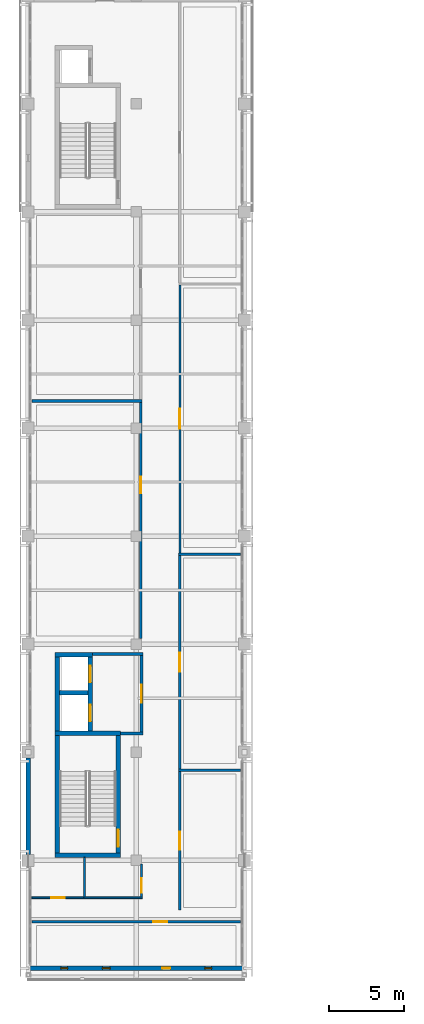
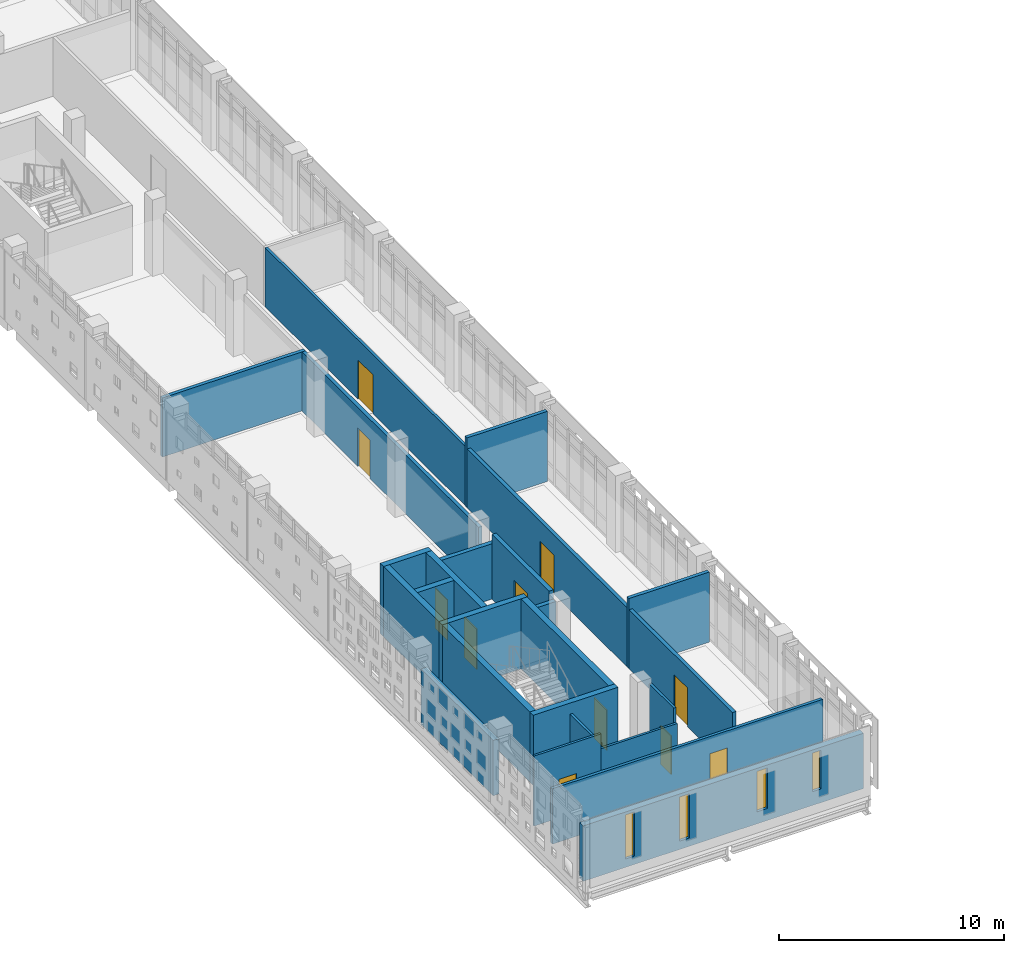
# One storey, part 23 of 33: 25 walls, 11 doors, 4 windows, 15 openings.
"""IFC4 building model written with IfcOpenShell, lengths in metres."""

import ifcopenshell
import ifcopenshell.guid

model = None  # the IFC model being written
_history = None  # IfcOwnerHistory: only IFC2X3 demands one
_inside = {}  # id of a spatial element -> (the spatial element, [elements in it])
_under = {}  # id of a project, library or spatial element -> (it, [spatial elements below it])
_declared = {}  # id of a project -> (the project, [libraries it declares])
_typed = {}  # id of a type object -> (the type object, [elements of that type])
_made_of = {}  # id of a material, layer set ... -> (it, [elements and type objects made of it])


def new_model(schema):
    """Start an empty IFC model of exactly this schema.

    Asked for "IFC4X3", IfcOpenShell would pick the latest addendum, in which some entities
    have other attributes; the version numbers below select the first issue.
    IFC2X3 requires an IfcOwnerHistory on every rooted entity: one is made here for all.
    """
    global model, _history
    if schema == "IFC4X3":
        model = ifcopenshell.file(schema_version=(4, 3, 0, 0))
    else:
        model = ifcopenshell.file(schema=schema)
    _inside.clear()
    _under.clear()
    _declared.clear()
    _typed.clear()
    _made_of.clear()
    _history = None
    if model.schema == "IFC2X3":
        org = make("IfcOrganization", Name="unknown")
        user = make(
            "IfcPersonAndOrganization",
            ThePerson=make("IfcPerson", FamilyName="unknown"),
            TheOrganization=org,
        )
        app = make(
            "IfcApplication",
            ApplicationDeveloper=org,
            Version="unknown",
            ApplicationFullName="unknown",
            ApplicationIdentifier="unknown",
        )
        _history = make(
            "IfcOwnerHistory",
            OwningUser=user,
            OwningApplication=app,
            ChangeAction="ADDED",
            CreationDate=0,
        )
    return model


def make(cls, **values):
    """One entity of the class cls with the attributes given. An attribute that is None is left unset."""
    return model.create_entity(
        cls, **{name: value for name, value in values.items() if value is not None}
    )


def rooted(cls, **values):
    """An entity with a GlobalId (a new one), such as an element, a storey or a relation."""
    return make(cls, GlobalId=ifcopenshell.guid.new(), OwnerHistory=_history, **values)


def si_unit(unit_type, name, prefix=None):
    """IfcSIUnit, for example si_unit("LENGTHUNIT", "METRE", prefix="MILLI")."""
    return make("IfcSIUnit", UnitType=unit_type, Prefix=prefix, Name=name)


def assignment(units):
    """IfcUnitAssignment: the units of a project."""
    return None if units is None else make("IfcUnitAssignment", Units=units)


def point(xyz):
    """IfcCartesianPoint."""
    return None if xyz is None else make("IfcCartesianPoint", Coordinates=xyz)


def direction(xyz):
    """IfcDirection."""
    return None if xyz is None else make("IfcDirection", DirectionRatios=xyz)


def frame(location, z_axis=None, x_axis=None):
    """IfcAxis2Placement3D, a coordinate frame: its origin and axes. An axis left out is left unset."""
    return make(
        "IfcAxis2Placement3D",
        Location=point(location),
        Axis=direction(z_axis),
        RefDirection=direction(x_axis),
    )


def frame_2d(location, x_axis=None):
    """IfcAxis2Placement2D, a coordinate frame in the plane: its origin and x axis."""
    return make(
        "IfcAxis2Placement2D", Location=point(location), RefDirection=direction(x_axis)
    )


def origin():
    """The frame at (0, 0, 0) with its axes left unset."""
    return frame((0.0, 0.0, 0.0))


def place(relative_to, where):
    """IfcLocalPlacement: puts the frame where relative to a parent placement (None: the world)."""
    return make(
        "IfcLocalPlacement", PlacementRelTo=relative_to, RelativePlacement=where
    )


def context(
    kind, dimensions, precision=None, world=None, true_north=None, identifier=None
):
    """IfcGeometricRepresentationContext, for example the 3D "Model" context."""
    return make(
        "IfcGeometricRepresentationContext",
        ContextIdentifier=identifier,
        ContextType=kind,
        CoordinateSpaceDimension=dimensions,
        Precision=precision,
        WorldCoordinateSystem=world,
        TrueNorth=true_north,
    )


def subcontext(parent, identifier, kind, view, scale=None):
    """IfcGeometricRepresentationSubContext, for example "Body" below "Model"."""
    return make(
        "IfcGeometricRepresentationSubContext",
        ContextIdentifier=identifier,
        ContextType=kind,
        ParentContext=parent,
        TargetScale=scale,
        TargetView=view,
    )


def project(units=None, contexts=None):
    """IfcProject with its units and contexts."""
    return rooted(
        "IfcProject",
        Name="project",
        RepresentationContexts=contexts,
        UnitsInContext=assignment(units),
    )


def spatial(cls, under=None, at=None, **own):
    """A site, building, storey or space (cls), placed at a placement, below another one or the project."""
    s = rooted(cls, ObjectPlacement=at, **own)
    if under is not None:
        _under.setdefault(under.id(), (under, []))[1].append(s)
    return s


def profile(cls, at=None, kind="AREA", **sizes):
    """A parametric profile (cls). Its sizes go by their IFC names, for example OverallWidth=200.0."""
    return make(cls, ProfileType=kind, Position=at, **sizes)


def rectangle(**sizes):
    """IfcRectangleProfileDef."""
    return profile("IfcRectangleProfileDef", **sizes)


def extrude(swept, where, along, depth):
    """IfcExtrudedAreaSolid: the profile swept, set in the frame where, extruded along a direction by depth."""
    return make(
        "IfcExtrudedAreaSolid",
        SweptArea=swept,
        Position=where,
        ExtrudedDirection=direction(along),
        Depth=depth,
    )


def shape(context_of_items, identifier, shape_type, items):
    """IfcShapeRepresentation: the items that make up one representation, for example the "Body"."""
    return make(
        "IfcShapeRepresentation",
        ContextOfItems=context_of_items,
        RepresentationIdentifier=identifier,
        RepresentationType=shape_type,
        Items=items,
    )


def material(Name=None, Category=None):
    """IfcMaterial."""
    return make("IfcMaterial", Name=Name, Category=Category)


def layer(
    of_material, thickness, ventilated=None, Name=None, Category=None, Priority=None
):
    """IfcMaterialLayer: one layer of a wall or slab, of a material (None: an air gap)."""
    return make(
        "IfcMaterialLayer",
        Material=of_material,
        LayerThickness=thickness,
        IsVentilated=ventilated,
        Name=Name,
        Category=Category,
        Priority=Priority,
    )


def layer_set(layers, Name=None):
    """IfcMaterialLayerSet."""
    return make("IfcMaterialLayerSet", MaterialLayers=layers, LayerSetName=Name)


def made_of(thing, what):
    """Note that an element or type object is made of a material, layer set ...; save() writes the relation."""
    if what is not None:
        _made_of.setdefault(what.id(), (what, []))[1].append(thing)
    return thing


def type_object(cls, material=None, **own):
    """A type object (cls), such as IfcWallType, which elements share."""
    return made_of(rooted(cls, **own), material)


def element(
    cls,
    number,
    at=None,
    inside=None,
    cuts=None,
    type_object=None,
    material=None,
    context=None,
    identifier="Body",
    shape_type=None,
    held_by="IfcProductDefinitionShape",
    body=None,
    shapes=None,
    **own,
):
    """One element of the class cls, such as IfcWall. Its Tag is "e" and its number.

    at: its placement. inside: the storey or other place that contains it. cuts: it is an
    opening in that element (IfcRelVoidsElement). A single representation is given by context,
    identifier, shape_type and body (its items); several are given by shapes. held_by: the class
    of the entity that holds the representations. save() writes the other relations.
    """
    e = rooted(cls, Tag="e%d" % number, ObjectPlacement=at, **own)
    if body is not None:
        shapes = [shape(context, identifier, shape_type, body)]
    if shapes is not None:
        e.Representation = make(held_by, Representations=shapes)
    if inside is not None:
        _inside.setdefault(inside.id(), (inside, []))[1].append(e)
    if cuts is not None:
        rooted(
            "IfcRelVoidsElement", RelatingBuildingElement=cuts, RelatedOpeningElement=e
        )
    if type_object is not None:
        _typed.setdefault(type_object.id(), (type_object, []))[1].append(e)
    return made_of(e, material)


def fill(opening, filler):
    """IfcRelFillsElement: the door or window that sits in an opening."""
    return rooted(
        "IfcRelFillsElement",
        RelatingOpeningElement=opening,
        RelatedBuildingElement=filler,
    )


def aggregate(whole, parts):
    """IfcRelAggregates: a whole, such as a stair, and the parts it consists of."""
    return rooted("IfcRelAggregates", RelatingObject=whole, RelatedObjects=parts)


def save(model, path):
    """Write the relations noted so far, then the file.

    IfcRelAggregates (storeys below a building ...), IfcRelContainedInSpatialStructure (elements
    in a storey), IfcRelDefinesByType, IfcRelAssociatesMaterial and IfcRelDeclares: one each for
    every whole, place, type object, material and project.
    """
    for whole, parts in _under.values():
        aggregate(whole, parts)
    for where, things in _inside.values():
        rooted(
            "IfcRelContainedInSpatialStructure",
            RelatedElements=things,
            RelatingStructure=where,
        )
    for kind, things in _typed.values():
        rooted("IfcRelDefinesByType", RelatedObjects=things, RelatingType=kind)
    for what, things in _made_of.values():
        rooted("IfcRelAssociatesMaterial", RelatedObjects=things, RelatingMaterial=what)
    for by, libraries in _declared.values():
        rooted("IfcRelDeclares", RelatingContext=by, RelatedDefinitions=libraries)
    model.write(path)


model = new_model("IFC4")

# Units and contexts
model_context = context("Model", 3, precision=1e-05, world=origin(), true_north=direction((0.0, 1.0)))
body_context = subcontext(model_context, "Body", "Model", "MODEL_VIEW")
ifc_project = project(units=[si_unit("LENGTHUNIT", "METRE"), si_unit("AREAUNIT", "SQUARE_METRE"), si_unit("VOLUMEUNIT", "CUBIC_METRE"), si_unit("PLANEANGLEUNIT", "RADIAN"), si_unit("MASSUNIT", "GRAM", prefix="KILO")], contexts=[model_context])

# Site, building, storey
site_placement = place(None, origin())
site = spatial("IfcSite", under=ifc_project, at=site_placement, CompositionType="ELEMENT")
building_placement = place(site_placement, origin())
building = spatial("IfcBuilding", under=site, at=building_placement, Name="Valkovuoma Quantum and Materials Research Institute", CompositionType="ELEMENT")
storey_placement = place(building_placement, frame((0.0, 0.0, 25.60009765625)))
storey = spatial("IfcBuildingStorey", under=building, at=storey_placement, Name="L06", CompositionType="ELEMENT", Elevation=25.60009765625)

# Walls
ifc_material_1 = material(Name="Concrete C40/50", Category="concrete")
ifc_layer_1 = layer(ifc_material_1, 0.300048828125)
ifc_layer_set_1 = layer_set([ifc_layer_1], Name="Concrete C40/50")
wall_type_1 = type_object("IfcWallType", Name="Wall-W-COR300", PredefinedType="SHEAR", material=ifc_layer_set_1)
for number, where, z_axis, x_axis, name in (
    (1, (1.800048828125, 29.14990234375, 0.0), (0.0, 0.0, 1.0), (1.0, 0.0, 0.0), "L06 core wall 0078"),
    (2, (1.800048828125, 37.25, 0.0), (0.0, 0.0, 1.0), (1.0, 0.0, 0.0), "L06 core wall 0079"),
):
    element("IfcWall", number, at=place(storey_placement, frame(where, z_axis=z_axis, x_axis=x_axis)), inside=storey, type_object=wall_type_1, Name=name, PredefinedType="SHEAR", context=body_context, shape_type="SweptSolid", body=[
        extrude(rectangle(XDim=4.349853515625, YDim=0.300048828125, at=frame_2d((2.1748046875, 0.0))), origin(), (0.0, 0.0, 1.0), 3.809814453125),
    ])
wall_1_placement = place(storey_placement, frame((1.949951171875, 29.300048828125, 0.0), z_axis=(0.0, 0.0, 1.0), x_axis=(0.0, 1.0, 0.0)))
element("IfcWall", 3, at=wall_1_placement, inside=storey, type_object=wall_type_1, Name="L06 core wall 0080", PredefinedType="SHEAR", context=body_context, shape_type="SweptSolid", body=[
    extrude(rectangle(XDim=7.800048828125, YDim=0.300048828125, at=frame_2d((3.89990234375, 0.0))), origin(), (0.0, 0.0, 1.0), 3.809814453125),
])

# Wall, opening, door
wall_2_placement = place(storey_placement, frame((6.0, 29.300048828125, 0.0), z_axis=(0.0, 0.0, 1.0), x_axis=(0.0, 1.0, 0.0)))
wall_2 = element("IfcWall", 4, at=wall_2_placement, inside=storey, type_object=wall_type_1, Name="L06 core wall 0081", PredefinedType="SHEAR", context=body_context, shape_type="SweptSolid", body=[
    extrude(rectangle(XDim=7.800048828125, YDim=0.300048828125, at=frame_2d((3.89990234375, 0.0))), origin(), (0.0, 0.0, 1.0), 3.809814453125),
])
opening_1_placement = place(wall_2_placement, frame((0.39990234375, 0.0, 0.0)))
opening_1 = element("IfcOpeningElement", 5, at=opening_1_placement, cuts=wall_2, Name="Opening SD-015", PredefinedType="OPENING", context=body_context, shape_type="SweptSolid", body=[
    extrude(rectangle(XDim=1.14990234375, YDim=2.199951171875, at=frame_2d((0.574951171875, 1.10009765625))), frame((0.0, 0.16015625, 0.0), z_axis=(0.0, -1.0, 0.0), x_axis=(1.0, 0.0, 0.0)), (0.0, 0.0, 1.0), 0.320068359375),
])
ifc_material_2 = material(Name="Powder-coated steel and acoustic timber door assembly", Category="steel")
door_type_1 = type_object("IfcDoorType", Name="Door-DR-ST60", OperationType="NOTDEFINED", PredefinedType="DOOR", material=ifc_material_2)
door_1_placement = place(opening_1_placement, origin())
door_1 = element("IfcDoor", 6, at=door_1_placement, inside=storey, type_object=door_type_1, Name="L06 ST-1 fire door", OperationType="SINGLE_SWING_RIGHT", OverallHeight=2.199951171875, OverallWidth=1.14990234375, PredefinedType="DOOR", context=body_context, shape_type="SweptSolid", body=[
    extrude(rectangle(XDim=1.14990234375, YDim=2.199951171875, at=frame_2d((0.574951171875, 1.10009765625))), frame((0.0, 0.02490234375, 0.0), z_axis=(0.0, -1.0, 0.0), x_axis=(1.0, 0.0, 0.0)), (0.0, 0.0, 1.0), 0.050048828125),
])
fill(opening_1, door_1)

# Walls
wall_3_placement = place(storey_placement, frame((1.800048828125, 42.47998046875, 0.0), z_axis=(0.0, 0.0, 1.0), x_axis=(1.0, 0.0, 0.0)))
element("IfcWall", 7, at=wall_3_placement, inside=storey, type_object=wall_type_1, Name="L06 core wall 0082", PredefinedType="SHEAR", context=body_context, shape_type="SweptSolid", body=[
    extrude(rectangle(XDim=2.47998046875, YDim=0.300048828125, at=frame_2d((1.239990234375, 0.0))), origin(), (0.0, 0.0, 1.0), 3.809814453125),
])
wall_4_placement = place(storey_placement, frame((2.10009765625, 39.97509765625, 0.0), z_axis=(0.0, 0.0, 1.0), x_axis=(1.0, 0.0, 0.0)))
element("IfcWall", 8, at=wall_4_placement, inside=storey, type_object=wall_type_1, Name="L06 core wall 0083", PredefinedType="SHEAR", context=body_context, shape_type="SweptSolid", body=[
    extrude(rectangle(XDim=1.8798828125, YDim=0.300048828125, at=frame_2d((0.93994140625, 0.0))), origin(), (0.0, 0.0, 1.0), 3.809814453125),
])
wall_5_placement = place(storey_placement, frame((1.949951171875, 37.39990234375, 0.0), z_axis=(0.0, 0.0, 1.0), x_axis=(0.0, 1.0, 0.0)))
element("IfcWall", 9, at=wall_5_placement, inside=storey, type_object=wall_type_1, Name="L06 core wall 0084", PredefinedType="SHEAR", context=body_context, shape_type="SweptSolid", body=[
    extrude(rectangle(XDim=4.93017578125, YDim=0.300048828125, at=frame_2d((2.465087890625, 0.0))), origin(), (0.0, 0.0, 1.0), 3.809814453125),
])

# Wall, openings, doors
wall_6_placement = place(storey_placement, frame((4.1298828125, 37.39990234375, 0.0), z_axis=(0.0, 0.0, 1.0), x_axis=(0.0, 1.0, 0.0)))
wall_6 = element("IfcWall", 10, at=wall_6_placement, inside=storey, type_object=wall_type_1, Name="L06 core wall 0085", PredefinedType="SHEAR", context=body_context, shape_type="SweptSolid", body=[
    extrude(rectangle(XDim=4.93017578125, YDim=0.300048828125, at=frame_2d((2.465087890625, 0.0))), origin(), (0.0, 0.0, 1.0), 3.809814453125),
])
opening_2_placement = place(wall_6_placement, frame((0.64990234375, 0.0, 0.0)))
opening_2 = element("IfcOpeningElement", 11, at=opening_2_placement, cuts=wall_6, Name="Opening LD-015", PredefinedType="OPENING", context=body_context, shape_type="SweptSolid", body=[
    extrude(rectangle(XDim=1.10009765625, YDim=2.199951171875, at=frame_2d((0.550048828125, 1.10009765625))), frame((0.0, 0.16015625, 0.0), z_axis=(0.0, -1.0, 0.0), x_axis=(1.0, 0.0, 0.0)), (0.0, 0.0, 1.0), 0.320068359375),
])
opening_3_placement = place(wall_6_placement, frame((3.25, 0.0, 0.0)))
opening_3 = element("IfcOpeningElement", 12, at=opening_3_placement, cuts=wall_6, Name="Opening LD-016", PredefinedType="OPENING", context=body_context, shape_type="SweptSolid", body=[
    extrude(rectangle(XDim=1.10009765625, YDim=2.199951171875, at=frame_2d((0.550048828125, 1.10009765625))), frame((0.0, 0.16015625, 0.0), z_axis=(0.0, -1.0, 0.0), x_axis=(1.0, 0.0, 0.0)), (0.0, 0.0, 1.0), 0.320068359375),
])
ifc_material_3 = material(Name="Powder-coated steel and acoustic timber door assembly", Category="steel")
door_type_2 = type_object("IfcDoorType", Name="Door-DR-LD01", OperationType="NOTDEFINED", PredefinedType="DOOR", material=ifc_material_3)
door_2_placement = place(opening_2_placement, origin())
door_2 = element("IfcDoor", 13, at=door_2_placement, inside=storey, type_object=door_type_2, Name="L06 LIFT-FF1 sliding landing door", OperationType="SLIDING_TO_LEFT", OverallHeight=2.199951171875, OverallWidth=1.10009765625, PredefinedType="DOOR", context=body_context, shape_type="SweptSolid", body=[
    extrude(rectangle(XDim=1.10009765625, YDim=2.199951171875, at=frame_2d((0.550048828125, 1.10009765625))), frame((0.0, 0.02490234375, 0.0), z_axis=(0.0, -1.0, 0.0), x_axis=(1.0, 0.0, 0.0)), (0.0, 0.0, 1.0), 0.050048828125),
])
fill(opening_2, door_2)
door_3_placement = place(opening_3_placement, origin())
door_3 = element("IfcDoor", 14, at=door_3_placement, inside=storey, type_object=door_type_2, Name="L06 LIFT-P1 sliding landing door", OperationType="SLIDING_TO_LEFT", OverallHeight=2.199951171875, OverallWidth=1.10009765625, PredefinedType="DOOR", context=body_context, shape_type="SweptSolid", body=[
    extrude(rectangle(XDim=1.10009765625, YDim=2.199951171875, at=frame_2d((0.550048828125, 1.10009765625))), frame((0.0, 0.02490234375, 0.0), z_axis=(0.0, -1.0, 0.0), x_axis=(1.0, 0.0, 0.0)), (0.0, 0.0, 1.0), 0.050048828125),
])
fill(opening_3, door_3)

# Wall
ifc_material_4 = material(Name="Precast concrete C40/50", Category="concrete")
ifc_layer_2 = layer(ifc_material_4, 0.300048828125)
ifc_layer_set_2 = layer_set([ifc_layer_2], Name="Precast concrete C40/50")
wall_type_2 = type_object("IfcWallType", Name="Wall-W-EXT300", PredefinedType="SOLIDWALL", material=ifc_layer_set_2)
wall_7_placement = place(storey_placement, frame((0.0, 29.18994140625, 0.0), z_axis=(0.0, 0.0, 1.0), x_axis=(0.0, 1.0, 0.0)))
element("IfcWall", 15, at=wall_7_placement, inside=storey, type_object=wall_type_2, Name="L06 exterior wall 0055", PredefinedType="SOLIDWALL", context=body_context, shape_type="SweptSolid", body=[
    extrude(rectangle(XDim=6.420166015625, YDim=0.300048828125, at=frame_2d((3.2099609375, 0.0))), origin(), (0.0, 0.0, 1.0), 3.010009765625),
])

# Wall, openings, windows
ifc_material_5 = material(Name="Precast concrete C40/50", Category="concrete")
ifc_layer_3 = layer(ifc_material_5, 0.320068359375)
ifc_layer_set_3 = layer_set([ifc_layer_3], Name="Precast concrete C40/50")
wall_type_3 = type_object("IfcWallType", Name="Wall-W-EXT320", PredefinedType="SOLIDWALL", material=ifc_layer_set_3)
wall_8_placement = place(storey_placement, frame((0.0, 21.60009765625, 0.0), z_axis=(0.0, 0.0, 1.0), x_axis=(1.0, 0.0, 0.0)))
wall_8 = element("IfcWall", 16, at=wall_8_placement, inside=storey, type_object=wall_type_3, Name="L06 exterior wall 0053", PredefinedType="SOLIDWALL", context=body_context, shape_type="SweptSolid", body=[
    extrude(rectangle(XDim=14.39990234375, YDim=0.320068359375, at=frame_2d((7.199951171875, 0.0))), origin(), (0.0, 0.0, 1.0), 3.010009765625),
])
opening_4_placement = place(wall_8_placement, frame((2.175048828125, 0.0, 0.449951171875)))
opening_4 = element("IfcOpeningElement", 17, at=opening_4_placement, cuts=wall_8, Name="Opening WN-SL01", PredefinedType="OPENING", context=body_context, shape_type="SweptSolid", body=[
    extrude(rectangle(XDim=0.449951171875, YDim=2.39990234375, at=frame_2d((0.22509765625, 1.199951171875))), frame((0.0, 0.169921875, 0.0), z_axis=(0.0, -1.0, 0.0), x_axis=(1.0, 0.0, 0.0)), (0.0, 0.0, 1.0), 0.340087890625),
])
opening_5_placement = place(wall_8_placement, frame((4.949951171875, 0.0, 0.449951171875)))
opening_5 = element("IfcOpeningElement", 18, at=opening_5_placement, cuts=wall_8, Name="Opening WN-SL02", PredefinedType="OPENING", context=body_context, shape_type="SweptSolid", body=[
    extrude(rectangle(XDim=0.5, YDim=2.39990234375, at=frame_2d((0.25, 1.199951171875))), frame((0.0, 0.169921875, 0.0), z_axis=(0.0, -1.0, 0.0), x_axis=(1.0, 0.0, 0.0)), (0.0, 0.0, 1.0), 0.340087890625),
])
opening_6_placement = place(wall_8_placement, frame((8.925048828125, 0.0, 0.64990234375)))
opening_6 = element("IfcOpeningElement", 19, at=opening_6_placement, cuts=wall_8, Name="Opening WN-SL03", PredefinedType="OPENING", context=body_context, shape_type="SweptSolid", body=[
    extrude(rectangle(XDim=0.550048828125, YDim=2.199951171875, at=frame_2d((0.27490234375, 1.10009765625))), frame((0.0, 0.169921875, 0.0), z_axis=(0.0, -1.0, 0.0), x_axis=(1.0, 0.0, 0.0)), (0.0, 0.0, 1.0), 0.340087890625),
])
opening_7_placement = place(wall_8_placement, frame((11.77490234375, 0.0, 0.75)))
opening_7 = element("IfcOpeningElement", 20, at=opening_7_placement, cuts=wall_8, Name="Opening WN-SL04", PredefinedType="OPENING", context=body_context, shape_type="SweptSolid", body=[
    extrude(rectangle(XDim=0.449951171875, YDim=2.10009765625, at=frame_2d((0.22509765625, 1.050048828125))), frame((0.0, 0.169921875, 0.0), z_axis=(0.0, -1.0, 0.0), x_axis=(1.0, 0.0, 0.0)), (0.0, 0.0, 1.0), 0.340087890625),
])
ifc_material_6 = material(Name="Triple low-E argon glazing in thermally broken aluminium frame", Category="aluminium")
window_type_1 = type_object("IfcWindowType", Name="Win-WN-SL01", PartitioningType="SINGLE_PANEL", PredefinedType="WINDOW", material=ifc_material_6)
window_1_placement = place(opening_4_placement, origin())
window_1 = element("IfcWindow", 21, at=window_1_placement, inside=storey, type_object=window_type_1, Name="L06 window 0042", OverallHeight=2.39990234375, OverallWidth=0.449951171875, PartitioningType="SINGLE_PANEL", PredefinedType="WINDOW", context=body_context, shape_type="SweptSolid", body=[
    extrude(rectangle(XDim=0.449951171875, YDim=2.39990234375, at=frame_2d((0.22509765625, 1.199951171875))), frame((0.0, 0.030029296875, 0.0), z_axis=(0.0, -1.0, 0.0), x_axis=(1.0, 0.0, 0.0)), (0.0, 0.0, 1.0), 0.06005859375),
])
fill(opening_4, window_1)
ifc_material_7 = material(Name="Triple low-E argon glazing in thermally broken aluminium frame", Category="aluminium")
window_type_2 = type_object("IfcWindowType", Name="Win-WN-SL02", PartitioningType="SINGLE_PANEL", PredefinedType="WINDOW", material=ifc_material_7)
window_2_placement = place(opening_5_placement, origin())
window_2 = element("IfcWindow", 22, at=window_2_placement, inside=storey, type_object=window_type_2, Name="L06 window 0043", OverallHeight=2.39990234375, OverallWidth=0.5, PartitioningType="SINGLE_PANEL", PredefinedType="WINDOW", context=body_context, shape_type="SweptSolid", body=[
    extrude(rectangle(XDim=0.5, YDim=2.39990234375, at=frame_2d((0.25, 1.199951171875))), frame((0.0, 0.030029296875, 0.0), z_axis=(0.0, -1.0, 0.0), x_axis=(1.0, 0.0, 0.0)), (0.0, 0.0, 1.0), 0.06005859375),
])
fill(opening_5, window_2)
ifc_material_8 = material(Name="Triple low-E argon glazing in thermally broken aluminium frame", Category="aluminium")
window_type_3 = type_object("IfcWindowType", Name="Win-WN-SL03", PartitioningType="SINGLE_PANEL", PredefinedType="WINDOW", material=ifc_material_8)
window_3_placement = place(opening_6_placement, origin())
window_3 = element("IfcWindow", 23, at=window_3_placement, inside=storey, type_object=window_type_3, Name="L06 window 0044", OverallHeight=2.199951171875, OverallWidth=0.550048828125, PartitioningType="SINGLE_PANEL", PredefinedType="WINDOW", context=body_context, shape_type="SweptSolid", body=[
    extrude(rectangle(XDim=0.550048828125, YDim=2.199951171875, at=frame_2d((0.27490234375, 1.10009765625))), frame((0.0, 0.030029296875, 0.0), z_axis=(0.0, -1.0, 0.0), x_axis=(1.0, 0.0, 0.0)), (0.0, 0.0, 1.0), 0.06005859375),
])
fill(opening_6, window_3)
ifc_material_9 = material(Name="Triple low-E argon glazing in thermally broken aluminium frame", Category="aluminium")
window_type_4 = type_object("IfcWindowType", Name="Win-WN-SL04", PartitioningType="SINGLE_PANEL", PredefinedType="WINDOW", material=ifc_material_9)
window_4_placement = place(opening_7_placement, origin())
window_4 = element("IfcWindow", 24, at=window_4_placement, inside=storey, type_object=window_type_4, Name="L06 window 0045", OverallHeight=2.10009765625, OverallWidth=0.449951171875, PartitioningType="SINGLE_PANEL", PredefinedType="WINDOW", context=body_context, shape_type="SweptSolid", body=[
    extrude(rectangle(XDim=0.449951171875, YDim=2.10009765625, at=frame_2d((0.22509765625, 1.050048828125))), frame((0.0, 0.030029296875, 0.0), z_axis=(0.0, -1.0, 0.0), x_axis=(1.0, 0.0, 0.0)), (0.0, 0.0, 1.0), 0.06005859375),
])
fill(opening_7, window_4)

# Walls
ifc_material_10 = material(Name="Concrete C40/50", Category="concrete")
ifc_layer_4 = layer(ifc_material_10, 0.219970703125)
ifc_layer_set_4 = layer_set([ifc_layer_4], Name="Concrete C40/50")
wall_type_4 = type_object("IfcWallType", Name="Wall-W-FFL220", PredefinedType="SOLIDWALL", material=ifc_layer_set_4)
wall_9_placement = place(storey_placement, frame((6.14990234375, 37.25, 0.0), z_axis=(0.0, 0.0, 1.0), x_axis=(1.0, 0.0, 0.0)))
element("IfcWall", 25, at=wall_9_placement, inside=storey, type_object=wall_type_4, Name="L06 core wall 0086", PredefinedType="SOLIDWALL", context=body_context, shape_type="SweptSolid", body=[
    extrude(rectangle(XDim=1.510009765625, YDim=0.219970703125, at=frame_2d((0.7548828125, 0.0))), origin(), (0.0, 0.0, 1.0), 3.010009765625),
])
wall_10_placement = place(storey_placement, frame((4.280029296875, 42.550048828125, 0.0), z_axis=(0.0, 0.0, 1.0), x_axis=(1.0, 0.0, 0.0)))
element("IfcWall", 26, at=wall_10_placement, inside=storey, type_object=wall_type_4, Name="L06 core wall 0087", PredefinedType="SOLIDWALL", context=body_context, shape_type="SweptSolid", body=[
    extrude(rectangle(XDim=3.3798828125, YDim=0.219970703125, at=frame_2d((1.68994140625, 0.0))), origin(), (0.0, 0.0, 1.0), 3.010009765625),
])

# Wall, opening, door
wall_11_placement = place(storey_placement, frame((7.550048828125, 37.360107421875, 0.0), z_axis=(0.0, 0.0, 1.0), x_axis=(0.0, 1.0, 0.0)))
wall_11 = element("IfcWall", 27, at=wall_11_placement, inside=storey, type_object=wall_type_4, Name="L06 core wall 0088", PredefinedType="SOLIDWALL", context=body_context, shape_type="SweptSolid", body=[
    extrude(rectangle(XDim=5.079833984375, YDim=0.219970703125, at=frame_2d((2.5400390625, 0.0))), origin(), (0.0, 0.0, 1.0), 3.510009765625),
])
opening_8_placement = place(wall_11_placement, frame((1.93994140625, 0.0, 0.0)))
opening_8 = element("IfcOpeningElement", 28, at=opening_8_placement, cuts=wall_11, Name="Opening FD-016", PredefinedType="OPENING", context=body_context, shape_type="SweptSolid", body=[
    extrude(rectangle(XDim=1.199951171875, YDim=2.199951171875, at=frame_2d((0.60009765625, 1.10009765625))), frame((0.0, 0.1201171875, 0.0), z_axis=(0.0, -1.0, 0.0), x_axis=(1.0, 0.0, 0.0)), (0.0, 0.0, 1.0), 0.239990234375),
])
ifc_material_11 = material(Name="Powder-coated steel and acoustic timber door assembly", Category="steel")
door_type_3 = type_object("IfcDoorType", Name="Door-DR-FF60", OperationType="NOTDEFINED", PredefinedType="DOOR", material=ifc_material_11)
door_4_placement = place(opening_8_placement, origin())
door_4 = element("IfcDoor", 29, at=door_4_placement, inside=storey, type_object=door_type_3, Name="L06 firefighting lobby door", OperationType="SINGLE_SWING_LEFT", OverallHeight=2.199951171875, OverallWidth=1.199951171875, PredefinedType="DOOR", context=body_context, shape_type="SweptSolid", body=[
    extrude(rectangle(XDim=1.199951171875, YDim=2.199951171875, at=frame_2d((0.60009765625, 1.10009765625))), frame((0.0, 0.02490234375, 0.0), z_axis=(0.0, -1.0, 0.0), x_axis=(1.0, 0.0, 0.0)), (0.0, 0.0, 1.0), 0.050048828125),
])
fill(opening_8, door_4)

# Walls
ifc_material_12 = material(Name="Service and WC partition", Category="masonry")
ifc_layer_5 = layer(ifc_material_12, 0.1201171875)
ifc_layer_set_5 = layer_set([ifc_layer_5], Name="Service and WC partition")
wall_type_5 = type_object("IfcWallType", Name="Wall-W-PRT120", PredefinedType="PARTITIONING", material=ifc_layer_set_5)
wall_12_placement = place(storey_placement, frame((3.68994140625, 26.300048828125, 0.0), z_axis=(0.0, 0.0, 1.0), x_axis=(1.0, 0.0, 0.0)))
element("IfcWall", 30, at=wall_12_placement, inside=storey, type_object=wall_type_5, Name="L06 partition 0225", PredefinedType="PARTITIONING", context=body_context, shape_type="SweptSolid", body=[
    extrude(rectangle(XDim=3.920166015625, YDim=0.1201171875, at=frame_2d((1.9599609375, 0.0))), origin(), (0.0, 0.0, 1.0), 3.010009765625),
])
wall_13_placement = place(storey_placement, frame((3.75, 26.360107421875, 0.0), z_axis=(0.0, 0.0, 1.0), x_axis=(0.0, 1.0, 0.0)))
element("IfcWall", 31, at=wall_13_placement, inside=storey, type_object=wall_type_5, Name="L06 partition 0226", PredefinedType="PARTITIONING", context=body_context, shape_type="SweptSolid", body=[
    extrude(rectangle(XDim=2.639892578125, YDim=0.1201171875, at=frame_2d((1.31982421875, 0.0))), origin(), (0.0, 0.0, 1.0), 3.2099609375),
])

# Wall, opening, door
wall_14_placement = place(storey_placement, frame((7.550048828125, 26.360107421875, 0.0), z_axis=(0.0, 0.0, 1.0), x_axis=(0.0, 1.0, 0.0)))
wall_14 = element("IfcWall", 32, at=wall_14_placement, inside=storey, type_object=wall_type_5, Name="L06 partition 0227", PredefinedType="PARTITIONING", context=body_context, shape_type="SweptSolid", body=[
    extrude(rectangle(XDim=2.179931640625, YDim=0.1201171875, at=frame_2d((1.08984375, 0.0))), origin(), (0.0, 0.0, 1.0), 3.809814453125),
])
opening_9_placement = place(wall_14_placement, frame((0.29296875, 0.0, 0.0)))
opening_9 = element("IfcOpeningElement", 33, at=opening_9_placement, cuts=wall_14, Name="Opening ID-0162", PredefinedType="OPENING", context=body_context, shape_type="SweptSolid", body=[
    extrude(rectangle(XDim=0.93994140625, YDim=2.10009765625, at=frame_2d((0.469970703125, 1.050048828125))), frame((0.0, 0.070068359375, 0.0), z_axis=(0.0, -1.0, 0.0), x_axis=(1.0, 0.0, 0.0)), (0.0, 0.0, 1.0), 0.14013671875),
])
ifc_material_13 = material(Name="Powder-coated steel and acoustic timber door assembly", Category="steel")
door_type_4 = type_object("IfcDoorType", Name="Door-DR-WC01", OperationType="NOTDEFINED", PredefinedType="DOOR", material=ifc_material_13)
door_5_placement = place(opening_9_placement, frame((0.93994140625, 0.0, 0.0), z_axis=(0.0, 0.0, 1.0), x_axis=(-1.0, 0.0, 0.0)))
door_5 = element("IfcDoor", 34, at=door_5_placement, inside=storey, type_object=door_type_4, Name="L06 room door 0162", OperationType="SINGLE_SWING_LEFT", OverallHeight=2.10009765625, OverallWidth=0.93994140625, PredefinedType="DOOR", context=body_context, shape_type="SweptSolid", body=[
    extrude(rectangle(XDim=0.93994140625, YDim=2.10009765625, at=frame_2d((0.469970703125, 1.050048828125))), frame((0.0, 0.02490234375, 0.0), z_axis=(0.0, -1.0, 0.0), x_axis=(1.0, 0.0, 0.0)), (0.0, 0.0, 1.0), 0.050048828125),
])
fill(opening_9, door_5)

wall_15_placement = place(storey_placement, frame((0.25, 26.300048828125, 0.0), z_axis=(0.0, 0.0, 1.0), x_axis=(1.0, 0.0, 0.0)))
wall_15 = element("IfcWall", 35, at=wall_15_placement, inside=storey, type_object=wall_type_5, Name="L06 partition 0228", PredefinedType="PARTITIONING", context=body_context, shape_type="SweptSolid", body=[
    extrude(rectangle(XDim=3.43994140625, YDim=0.1201171875, at=frame_2d((1.719970703125, 0.0))), origin(), (0.0, 0.0, 1.0), 3.809814453125),
])
opening_10_placement = place(wall_15_placement, frame((1.27001953125, 0.0, 0.0)))
opening_10 = element("IfcOpeningElement", 36, at=opening_10_placement, cuts=wall_15, Name="Opening ID-0163", PredefinedType="OPENING", context=body_context, shape_type="SweptSolid", body=[
    extrude(rectangle(XDim=0.89990234375, YDim=2.10009765625, at=frame_2d((0.449951171875, 1.050048828125))), frame((0.0, 0.070068359375, 0.0), z_axis=(0.0, -1.0, 0.0), x_axis=(1.0, 0.0, 0.0)), (0.0, 0.0, 1.0), 0.14013671875),
])
ifc_material_14 = material(Name="Powder-coated steel and acoustic timber door assembly", Category="steel")
door_type_5 = type_object("IfcDoorType", Name="Door-DR-WC02", OperationType="NOTDEFINED", PredefinedType="DOOR", material=ifc_material_14)
door_6_placement = place(opening_10_placement, origin())
door_6 = element("IfcDoor", 37, at=door_6_placement, inside=storey, type_object=door_type_5, Name="L06 room door 0163", OperationType="SINGLE_SWING_RIGHT", OverallHeight=2.10009765625, OverallWidth=0.89990234375, PredefinedType="DOOR", context=body_context, shape_type="SweptSolid", body=[
    extrude(rectangle(XDim=0.89990234375, YDim=2.10009765625, at=frame_2d((0.449951171875, 1.050048828125))), frame((0.0, 0.02490234375, 0.0), z_axis=(0.0, -1.0, 0.0), x_axis=(1.0, 0.0, 0.0)), (0.0, 0.0, 1.0), 0.050048828125),
])
fill(opening_10, door_6)

ifc_material_15 = material(Name="Interior office stud partition", Category="masonry")
ifc_layer_6 = layer(ifc_material_15, 0.135009765625)
ifc_layer_set_6 = layer_set([ifc_layer_6], Name="Interior office stud partition")
wall_type_6 = type_object("IfcWallType", Name="Wall-W-PRT135", PredefinedType="PARTITIONING", material=ifc_layer_set_6)
wall_16_placement = place(storey_placement, frame((10.10009765625, 49.2900390625, 0.0), z_axis=(0.0, 0.0, 1.0), x_axis=(0.0, 1.0, 0.0)))
wall_16 = element("IfcWall", 38, at=wall_16_placement, inside=storey, type_object=wall_type_6, Name="L06 partition 0238", PredefinedType="PARTITIONING", context=body_context, shape_type="SweptSolid", body=[
    extrude(rectangle(XDim=17.842529296875, YDim=0.135009765625, at=frame_2d((8.92138671875, 0.0))), origin(), (0.0, 0.0, 1.0), 3.2099609375),
])
opening_11_placement = place(wall_16_placement, frame((8.25634765625, 0.0, 0.0)))
opening_11 = element("IfcOpeningElement", 39, at=opening_11_placement, cuts=wall_16, Name="Opening ID-0169", PredefinedType="OPENING", context=body_context, shape_type="SweptSolid", body=[
    extrude(rectangle(XDim=1.330078125, YDim=2.1201171875, at=frame_2d((0.6650390625, 1.06005859375))), frame((0.0, 0.07763671875, 0.0), z_axis=(0.0, -1.0, 0.0), x_axis=(1.0, 0.0, 0.0)), (0.0, 0.0, 1.0), 0.155029296875),
])
ifc_material_16 = material(Name="Powder-coated steel and acoustic timber door assembly", Category="steel")
door_type_6 = type_object("IfcDoorType", Name="Door-DR-RM09", OperationType="NOTDEFINED", PredefinedType="DOOR", material=ifc_material_16)
door_7_placement = place(opening_11_placement, origin())
door_7 = element("IfcDoor", 40, at=door_7_placement, inside=storey, type_object=door_type_6, Name="L06 room door 0169", OperationType="SINGLE_SWING_RIGHT", OverallHeight=2.1201171875, OverallWidth=1.330078125, PredefinedType="DOOR", context=body_context, shape_type="SweptSolid", body=[
    extrude(rectangle(XDim=1.330078125, YDim=2.1201171875, at=frame_2d((0.6650390625, 1.06005859375))), frame((0.0, 0.02490234375, 0.0), z_axis=(0.0, -1.0, 0.0), x_axis=(1.0, 0.0, 0.0)), (0.0, 0.0, 1.0), 0.050048828125),
])
fill(opening_11, door_7)

ifc_material_17 = material(Name="Acoustic write-up studio partition", Category="masonry")
ifc_layer_7 = layer(ifc_material_17, 0.14990234375)
ifc_layer_set_7 = layer_set([ifc_layer_7], Name="Acoustic write-up studio partition")
wall_type_7 = type_object("IfcWallType", Name="Wall-W-PRT150", PredefinedType="PARTITIONING", material=ifc_layer_set_7)
wall_17_placement = place(storey_placement, frame((0.25, 24.699951171875, 0.0), z_axis=(0.0, 0.0, 1.0), x_axis=(1.0, 0.0, 0.0)))
wall_17 = element("IfcWall", 41, at=wall_17_placement, inside=storey, type_object=wall_type_7, Name="L06 partition 0224", PredefinedType="PARTITIONING", context=body_context, shape_type="SweptSolid", body=[
    extrude(rectangle(XDim=13.89990234375, YDim=0.14990234375, at=frame_2d((6.949951171875, 0.0))), origin(), (0.0, 0.0, 1.0), 3.010009765625),
])
opening_12_placement = place(wall_17_placement, frame((8.094970703125, 0.0, 0.0)))
opening_12 = element("IfcOpeningElement", 42, at=opening_12_placement, cuts=wall_17, Name="Opening ID-0161", PredefinedType="OPENING", context=body_context, shape_type="SweptSolid", body=[
    extrude(rectangle(XDim=0.909912109375, YDim=2.080078125, at=frame_2d((0.455078125, 1.0400390625))), frame((0.0, 0.0849609375, 0.0), z_axis=(0.0, -1.0, 0.0), x_axis=(1.0, 0.0, 0.0)), (0.0, 0.0, 1.0), 0.169921875),
])
ifc_material_18 = material(Name="Powder-coated steel and acoustic timber door assembly", Category="steel")
door_type_7 = type_object("IfcDoorType", Name="Door-DR-RM01", OperationType="NOTDEFINED", PredefinedType="DOOR", material=ifc_material_18)
door_8_placement = place(opening_12_placement, origin())
door_8 = element("IfcDoor", 43, at=door_8_placement, inside=storey, type_object=door_type_7, Name="L06 room door 0161", OperationType="SINGLE_SWING_RIGHT", OverallHeight=2.080078125, OverallWidth=0.909912109375, PredefinedType="DOOR", context=body_context, shape_type="SweptSolid", body=[
    extrude(rectangle(XDim=0.909912109375, YDim=2.080078125, at=frame_2d((0.455078125, 1.0400390625))), frame((0.0, 0.02490234375, 0.0), z_axis=(0.0, -1.0, 0.0), x_axis=(1.0, 0.0, 0.0)), (0.0, 0.0, 1.0), 0.050048828125),
])
fill(opening_12, door_8)

# Wall
ifc_material_19 = material(Name="Laboratory fire-rated gypsum partition", Category="masonry")
ifc_layer_8 = layer(ifc_material_19, 0.179931640625)
ifc_layer_set_8 = layer_set([ifc_layer_8], Name="Laboratory fire-rated gypsum partition")
wall_type_8 = type_object("IfcWallType", Name="Wall-W-PRT180", PredefinedType="PARTITIONING", material=ifc_layer_set_8)
wall_18_placement = place(storey_placement, frame((0.25, 59.39990234375, 0.0), z_axis=(0.0, 0.0, 1.0), x_axis=(1.0, 0.0, 0.0)))
element("IfcWall", 44, at=wall_18_placement, inside=storey, type_object=wall_type_8, Name="L06 partition 0229", PredefinedType="PARTITIONING", context=body_context, shape_type="SweptSolid", body=[
    extrude(rectangle(XDim=7.340087890625, YDim=0.179931640625, at=frame_2d((3.669921875, 0.0))), origin(), (0.0, 0.0, 1.0), 3.2099609375),
])

# Wall, opening, door
wall_19_placement = place(storey_placement, frame((7.5, 43.590087890625, 0.0), z_axis=(0.0, 0.0, 1.0), x_axis=(0.0, 1.0, 0.0)))
wall_19 = element("IfcWall", 45, at=wall_19_placement, inside=storey, type_object=wall_type_8, Name="L06 partition 0230", PredefinedType="PARTITIONING", context=body_context, shape_type="SweptSolid", body=[
    extrude(rectangle(XDim=15.719970703125, YDim=0.179931640625, at=frame_2d((7.85986328125, 0.0))), origin(), (0.0, 0.0, 1.0), 3.2099609375),
])
opening_13_placement = place(wall_19_placement, frame((9.677978515625, 0.0, 0.0)))
opening_13 = element("IfcOpeningElement", 46, at=opening_13_placement, cuts=wall_19, Name="Opening ID-0164", PredefinedType="OPENING", context=body_context, shape_type="SweptSolid", body=[
    extrude(rectangle(XDim=1.080078125, YDim=2.080078125, at=frame_2d((0.5400390625, 1.0400390625))), frame((0.0, 0.10009765625, 0.0), z_axis=(0.0, -1.0, 0.0), x_axis=(1.0, 0.0, 0.0)), (0.0, 0.0, 1.0), 0.199951171875),
])
ifc_material_20 = material(Name="Powder-coated steel and acoustic timber door assembly", Category="steel")
door_type_8 = type_object("IfcDoorType", Name="Door-DR-RM04", OperationType="NOTDEFINED", PredefinedType="DOOR", material=ifc_material_20)
door_9_placement = place(opening_13_placement, origin())
door_9 = element("IfcDoor", 47, at=door_9_placement, inside=storey, type_object=door_type_8, Name="L06 room door 0164", OperationType="SINGLE_SWING_LEFT", OverallHeight=2.080078125, OverallWidth=1.080078125, PredefinedType="DOOR", context=body_context, shape_type="SweptSolid", body=[
    extrude(rectangle(XDim=1.080078125, YDim=2.080078125, at=frame_2d((0.5400390625, 1.0400390625))), frame((0.0, 0.02490234375, 0.0), z_axis=(0.0, -1.0, 0.0), x_axis=(1.0, 0.0, 0.0)), (0.0, 0.0, 1.0), 0.050048828125),
])
fill(opening_13, door_9)

# Wall
wall_20_placement = place(storey_placement, frame((10.010009765625, 34.800048828125, 0.0), z_axis=(0.0, 0.0, 1.0), x_axis=(1.0, 0.0, 0.0)))
element("IfcWall", 48, at=wall_20_placement, inside=storey, type_object=wall_type_8, Name="L06 partition 0233", PredefinedType="PARTITIONING", context=body_context, shape_type="SweptSolid", body=[
    extrude(rectangle(XDim=4.139892578125, YDim=0.179931640625, at=frame_2d((2.06982421875, 0.0))), origin(), (0.0, 0.0, 1.0), 3.809814453125),
])

# Wall, opening, door
wall_21_placement = place(storey_placement, frame((10.10009765625, 25.489990234375, 0.0), z_axis=(0.0, 0.0, 1.0), x_axis=(0.0, 1.0, 0.0)))
wall_21 = element("IfcWall", 49, at=wall_21_placement, inside=storey, type_object=wall_type_8, Name="L06 partition 0234", PredefinedType="PARTITIONING", context=body_context, shape_type="SweptSolid", body=[
    extrude(rectangle(XDim=9.219970703125, YDim=0.179931640625, at=frame_2d((4.60986328125, 0.0))), origin(), (0.0, 0.0, 1.0), 3.2099609375),
])
opening_14_placement = place(wall_21_placement, frame((3.9951171875, 0.0, 0.0)))
opening_14 = element("IfcOpeningElement", 50, at=opening_14_placement, cuts=wall_21, Name="Opening ID-0167", PredefinedType="OPENING", context=body_context, shape_type="SweptSolid", body=[
    extrude(rectangle(XDim=1.22998046875, YDim=2.1201171875, at=frame_2d((0.614990234375, 1.06005859375))), frame((0.0, 0.10009765625, 0.0), z_axis=(0.0, -1.0, 0.0), x_axis=(1.0, 0.0, 0.0)), (0.0, 0.0, 1.0), 0.199951171875),
])
ifc_material_21 = material(Name="Powder-coated steel and acoustic timber door assembly", Category="steel")
door_type_9 = type_object("IfcDoorType", Name="Door-DR-RM07", OperationType="NOTDEFINED", PredefinedType="DOOR", material=ifc_material_21)
door_10_placement = place(opening_14_placement, origin())
door_10 = element("IfcDoor", 51, at=door_10_placement, inside=storey, type_object=door_type_9, Name="L06 room door 0167", OperationType="SINGLE_SWING_RIGHT", OverallHeight=2.1201171875, OverallWidth=1.22998046875, PredefinedType="DOOR", context=body_context, shape_type="SweptSolid", body=[
    extrude(rectangle(XDim=1.22998046875, YDim=2.1201171875, at=frame_2d((0.614990234375, 1.06005859375))), frame((0.0, 0.02490234375, 0.0), z_axis=(0.0, -1.0, 0.0), x_axis=(1.0, 0.0, 0.0)), (0.0, 0.0, 1.0), 0.050048828125),
])
fill(opening_14, door_10)

# Wall
wall_22_placement = place(storey_placement, frame((10.010009765625, 49.199951171875, 0.0), z_axis=(0.0, 0.0, 1.0), x_axis=(1.0, 0.0, 0.0)))
element("IfcWall", 52, at=wall_22_placement, inside=storey, type_object=wall_type_8, Name="L06 partition 0235", PredefinedType="PARTITIONING", context=body_context, shape_type="SweptSolid", body=[
    extrude(rectangle(XDim=4.139892578125, YDim=0.179931640625, at=frame_2d((2.06982421875, 0.0))), origin(), (0.0, 0.0, 1.0), 3.809814453125),
])

# Wall, opening, door
wall_23_placement = place(storey_placement, frame((10.10009765625, 34.889892578125, 0.0), z_axis=(0.0, 0.0, 1.0), x_axis=(0.0, 1.0, 0.0)))
wall_23 = element("IfcWall", 53, at=wall_23_placement, inside=storey, type_object=wall_type_8, Name="L06 partition 0236", PredefinedType="PARTITIONING", context=body_context, shape_type="SweptSolid", body=[
    extrude(rectangle(XDim=14.22021484375, YDim=0.179931640625, at=frame_2d((7.110107421875, 0.0))), origin(), (0.0, 0.0, 1.0), 3.2099609375),
])
opening_15_placement = place(wall_23_placement, frame((6.469970703125, 0.0, 0.0)))
opening_15 = element("IfcOpeningElement", 54, at=opening_15_placement, cuts=wall_23, Name="Opening ID-0168", PredefinedType="OPENING", context=body_context, shape_type="SweptSolid", body=[
    extrude(rectangle(XDim=1.280029296875, YDim=2.1201171875, at=frame_2d((0.64013671875, 1.06005859375))), frame((0.0, 0.10009765625, 0.0), z_axis=(0.0, -1.0, 0.0), x_axis=(1.0, 0.0, 0.0)), (0.0, 0.0, 1.0), 0.199951171875),
])
ifc_material_22 = material(Name="Powder-coated steel and acoustic timber door assembly", Category="steel")
door_type_10 = type_object("IfcDoorType", Name="Door-DR-RM08", OperationType="NOTDEFINED", PredefinedType="DOOR", material=ifc_material_22)
door_11_placement = place(opening_15_placement, origin())
door_11 = element("IfcDoor", 55, at=door_11_placement, inside=storey, type_object=door_type_10, Name="L06 room door 0168", OperationType="SINGLE_SWING_LEFT", OverallHeight=2.1201171875, OverallWidth=1.280029296875, PredefinedType="DOOR", context=body_context, shape_type="SweptSolid", body=[
    extrude(rectangle(XDim=1.280029296875, YDim=2.1201171875, at=frame_2d((0.64013671875, 1.06005859375))), frame((0.0, 0.02490234375, 0.0), z_axis=(0.0, -1.0, 0.0), x_axis=(1.0, 0.0, 0.0)), (0.0, 0.0, 1.0), 0.050048828125),
])
fill(opening_15, door_11)

save(model, "model.ifc")
